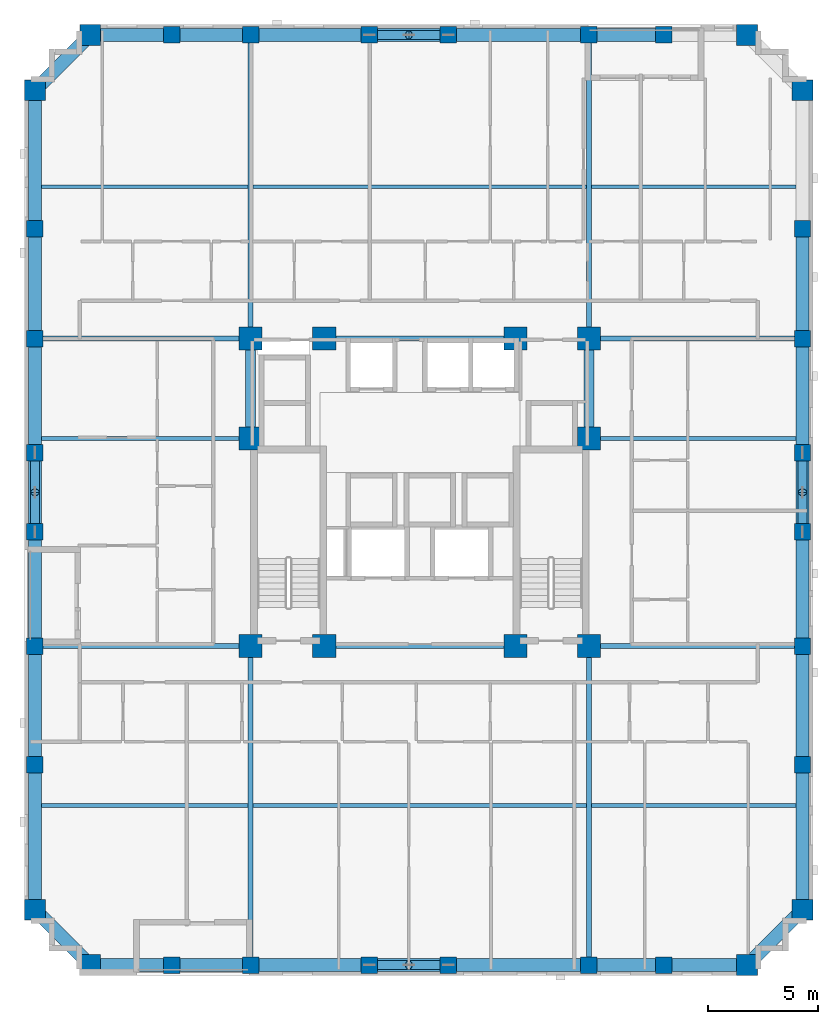
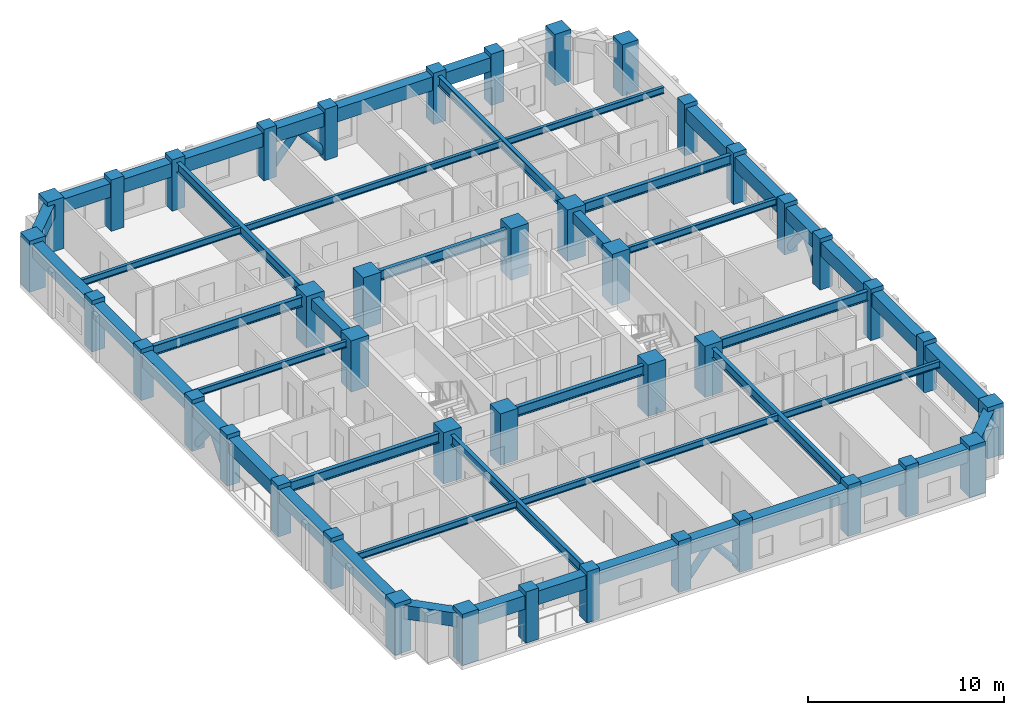
# One storey, part 1 of 12: 49 beams, 42 columns, 8 members.
"""IFC4 building model written with IfcOpenShell, lengths in metres."""

from ifc_helpers import new_model, si_unit, derived_unit, direction, frame, origin, origin_2d, place, context, subcontext, project, spatial, rectangle, hollow_circle, i_section, extrude, material, material_profile, profile_set, type_object, element, save


model = new_model("IFC4")

# Units and contexts
model_context = context("Model", 3, precision=1e-05, world=origin(), true_north=direction((0.0, 1.0)))
body_context = subcontext(model_context, "Body", "Model", "MODEL_VIEW")
ifc_project = project(units=[si_unit("LENGTHUNIT", "METRE"), si_unit("AREAUNIT", "SQUARE_METRE"), si_unit("VOLUMEUNIT", "CUBIC_METRE"), si_unit("PLANEANGLEUNIT", "RADIAN"), si_unit("MASSUNIT", "GRAM", prefix="KILO"), derived_unit("THERMALTRANSMITTANCEUNIT", [(si_unit("MASSUNIT", "GRAM", prefix="KILO"), 1), (si_unit("TIMEUNIT", "SECOND"), -3), (si_unit("THERMODYNAMICTEMPERATUREUNIT", "KELVIN"), -1)])], contexts=[model_context])

# Site, building, storey
site_placement = place(None, origin())
site = spatial("IfcSite", under=ifc_project, at=site_placement, CompositionType="ELEMENT")
building_placement = place(site_placement, origin())
building = spatial("IfcBuilding", under=site, at=building_placement, Name="Korrvale Station Residences", CompositionType="ELEMENT")
storey_placement = place(building_placement, frame((0.0, 0.0, 107.10009765625)))
storey = spatial("IfcBuildingStorey", under=building, at=storey_placement, Name="L30", CompositionType="ELEMENT", Elevation=107.10009765625)

# Columns
ifc_material_1 = material(Name="Concrete C60/75", Category="concrete")
ifc_material_profile_1 = material_profile(ifc_material_1, rectangle(XDim=1.050048828125, YDim=1.050048828125, at=origin_2d()), Name="RC1050x1050")
ifc_profile_set_1 = profile_set([ifc_material_profile_1], Name="Concrete C60/75")
column_type_1 = type_object("IfcColumnType", Name="COL-C-RC1050x1050-C6075", PredefinedType="COLUMN", material=ifc_profile_set_1)
for number, where, z_axis, x_axis, name in (
    (1, (17.800048828125, 15.0, 0.0), (0.0, 0.0, 1.0), (1.0, 0.0, 0.0), "L30 Core Column 01"),
    (2, (21.14990234375, 15.0, 0.0), (0.0, 0.0, 1.0), (1.0, 0.0, 0.0), "L30 Core Column 02"),
    (3, (29.85009765625, 15.0, 0.0), (0.0, 0.0, 1.0), (1.0, 0.0, 0.0), "L30 Core Column 03"),
    (4, (33.199951171875, 15.0, 0.0), (0.0, 0.0, 1.0), (1.0, 0.0, 0.0), "L30 Core Column 04"),
    (5, (17.800048828125, 29.0, 0.0), (0.0, 0.0, 1.0), (1.0, 0.0, 0.0), "L30 Core Column 05"),
    (6, (21.14990234375, 29.0, 0.0), (0.0, 0.0, 1.0), (1.0, 0.0, 0.0), "L30 Core Column 06"),
    (7, (29.85009765625, 29.0, 0.0), (0.0, 0.0, 1.0), (1.0, 0.0, 0.0), "L30 Core Column 07"),
    (8, (33.199951171875, 29.0, 0.0), (0.0, 0.0, 1.0), (1.0, 0.0, 0.0), "L30 Core Column 08"),
    (9, (17.800048828125, 24.449951171875, 0.0), (0.0, 0.0, 1.0), (1.0, 0.0, 0.0), "L30 Core Column 09"),
    (10, (33.199951171875, 24.449951171875, 0.0), (0.0, 0.0, 1.0), (1.0, 0.0, 0.0), "L30 Core Column 10"),
):
    element("IfcColumn", number, at=place(storey_placement, frame(where, z_axis=z_axis, x_axis=x_axis)), inside=storey, type_object=column_type_1, Name=name, PredefinedType="COLUMN", context=body_context, shape_type="SweptSolid", body=[
        extrude(rectangle(XDim=1.050048828125, YDim=1.050048828125, at=origin_2d()), origin(), (0.0, 0.0, 1.0), 3.199951171875),
    ])
ifc_material_profile_2 = material_profile(ifc_material_1, rectangle(XDim=0.75, YDim=0.75, at=origin_2d()), Name="RC750x750")
ifc_profile_set_2 = profile_set([ifc_material_profile_2], Name="Concrete C60/75")
column_type_2 = type_object("IfcColumnType", Name="COL-C-RC750x750-C6075", PredefinedType="COLUMN", material=ifc_profile_set_2)
for number, where, z_axis, x_axis, name in (
    (11, (14.199951171875, 0.47998046875, 0.0), (0.0, 0.0, 1.0), (1.0, 0.0, 0.0), "L30 Bundled-Tube South Column 02"),
    (12, (17.800048828125, 0.47998046875, 0.0), (0.0, 0.0, 1.0), (1.0, 0.0, 0.0), "L30 Bundled-Tube South Column 03"),
    (13, (23.199951171875, 0.47998046875, 0.0), (0.0, 0.0, 1.0), (1.0, 0.0, 0.0), "L30 Bundled-Tube South Column 04"),
    (14, (26.800048828125, 0.47998046875, 0.0), (0.0, 0.0, 1.0), (1.0, 0.0, 0.0), "L30 Bundled-Tube South Column 05"),
    (15, (33.199951171875, 0.47998046875, 0.0), (0.0, 0.0, 1.0), (1.0, 0.0, 0.0), "L30 Bundled-Tube South Column 06"),
    (16, (36.60009765625, 0.47998046875, 0.0), (0.0, 0.0, 1.0), (1.0, 0.0, 0.0), "L30 Bundled-Tube South Column 07"),
    (17, (14.199951171875, 42.820068359375, 0.0), (0.0, 0.0, 1.0), (1.0, 0.0, 0.0), "L30 Bundled-Tube North Column 10"),
    (18, (17.800048828125, 42.820068359375, 0.0), (0.0, 0.0, 1.0), (1.0, 0.0, 0.0), "L30 Bundled-Tube North Column 11"),
    (19, (23.199951171875, 42.820068359375, 0.0), (0.0, 0.0, 1.0), (1.0, 0.0, 0.0), "L30 Bundled-Tube North Column 12"),
    (20, (26.800048828125, 42.820068359375, 0.0), (0.0, 0.0, 1.0), (1.0, 0.0, 0.0), "L30 Bundled-Tube North Column 13"),
    (21, (33.199951171875, 42.820068359375, 0.0), (0.0, 0.0, 1.0), (1.0, 0.0, 0.0), "L30 Bundled-Tube North Column 14"),
    (22, (36.60009765625, 42.820068359375, 0.0), (0.0, 0.0, 1.0), (1.0, 0.0, 0.0), "L30 Bundled-Tube North Column 15"),
    (23, (7.97998046875, 9.60009765625, 0.0), (0.0, 0.0, 1.0), (1.0, 0.0, 0.0), "L30 Bundled-Tube West Column 18"),
    (24, (7.97998046875, 15.0, 0.0), (0.0, 0.0, 1.0), (1.0, 0.0, 0.0), "L30 Bundled-Tube West Column 19"),
    (25, (7.97998046875, 20.199951171875, 0.0), (0.0, 0.0, 1.0), (1.0, 0.0, 0.0), "L30 Bundled-Tube West Column 20"),
    (26, (7.97998046875, 23.800048828125, 0.0), (0.0, 0.0, 1.0), (1.0, 0.0, 0.0), "L30 Bundled-Tube West Column 21"),
    (27, (7.97998046875, 29.0, 0.0), (0.0, 0.0, 1.0), (1.0, 0.0, 0.0), "L30 Bundled-Tube West Column 22"),
    (28, (7.97998046875, 34.0, 0.0), (0.0, 0.0, 1.0), (1.0, 0.0, 0.0), "L30 Bundled-Tube West Column 23"),
    (29, (42.919921875, 9.60009765625, 0.0), (0.0, 0.0, 1.0), (1.0, 0.0, 0.0), "L30 Bundled-Tube East Column 26"),
    (30, (42.919921875, 15.0, 0.0), (0.0, 0.0, 1.0), (1.0, 0.0, 0.0), "L30 Bundled-Tube East Column 27"),
    (31, (42.919921875, 20.199951171875, 0.0), (0.0, 0.0, 1.0), (1.0, 0.0, 0.0), "L30 Bundled-Tube East Column 28"),
    (32, (42.919921875, 23.800048828125, 0.0), (0.0, 0.0, 1.0), (1.0, 0.0, 0.0), "L30 Bundled-Tube East Column 29"),
    (33, (42.919921875, 29.0, 0.0), (0.0, 0.0, 1.0), (1.0, 0.0, 0.0), "L30 Bundled-Tube East Column 30"),
    (34, (42.919921875, 34.0, 0.0), (0.0, 0.0, 1.0), (1.0, 0.0, 0.0), "L30 Bundled-Tube East Column 31"),
):
    element("IfcColumn", number, at=place(storey_placement, frame(where, z_axis=z_axis, x_axis=x_axis)), inside=storey, type_object=column_type_2, Name=name, PredefinedType="COLUMN", context=body_context, shape_type="SweptSolid", body=[
        extrude(rectangle(XDim=0.75, YDim=0.75, at=origin_2d()), origin(), (0.0, 0.0, 1.0), 3.199951171875),
    ])
ifc_material_profile_3 = material_profile(ifc_material_1, rectangle(XDim=0.949951171875, YDim=0.949951171875, at=origin_2d()), Name="RC950x950")
ifc_profile_set_3 = profile_set([ifc_material_profile_3], Name="Concrete C60/75")
column_type_3 = type_object("IfcColumnType", Name="COL-C-RC950x950-C6075", PredefinedType="COLUMN", material=ifc_profile_set_3)
for number, where, z_axis, x_axis, name in (
    (35, (10.5, 0.47998046875, 0.0), (0.0, 0.0, 1.0), (1.0, 0.0, 0.0), "L30 Bundled-Tube South Column 01"),
    (36, (40.39990234375, 0.47998046875, 0.0), (0.0, 0.0, 1.0), (1.0, 0.0, 0.0), "L30 Bundled-Tube South Column 08"),
    (37, (10.5, 42.820068359375, 0.0), (0.0, 0.0, 1.0), (1.0, 0.0, 0.0), "L30 Bundled-Tube North Column 09"),
    (38, (40.39990234375, 42.820068359375, 0.0), (0.0, 0.0, 1.0), (1.0, 0.0, 0.0), "L30 Bundled-Tube North Column 16"),
    (39, (7.97998046875, 3.0, 0.0), (0.0, 0.0, 1.0), (1.0, 0.0, 0.0), "L30 Bundled-Tube West Column 17"),
    (40, (7.97998046875, 40.300048828125, 0.0), (0.0, 0.0, 1.0), (1.0, 0.0, 0.0), "L30 Bundled-Tube West Column 24"),
    (41, (42.919921875, 3.0, 0.0), (0.0, 0.0, 1.0), (1.0, 0.0, 0.0), "L30 Bundled-Tube East Column 25"),
    (42, (42.919921875, 40.300048828125, 0.0), (0.0, 0.0, 1.0), (1.0, 0.0, 0.0), "L30 Bundled-Tube East Column 32"),
):
    element("IfcColumn", number, at=place(storey_placement, frame(where, z_axis=z_axis, x_axis=x_axis)), inside=storey, type_object=column_type_3, Name=name, PredefinedType="COLUMN", context=body_context, shape_type="SweptSolid", body=[
        extrude(rectangle(XDim=0.949951171875, YDim=0.949951171875, at=origin_2d()), origin(), (0.0, 0.0, 1.0), 3.199951171875),
    ])

# Beams
ifc_material_2 = material(Name="Steel S355", Category="steel")
ifc_material_profile_4 = material_profile(ifc_material_2, i_section(OverallWidth=0.22900390625, OverallDepth=0.612060546875, WebThickness=0.011962890625, FlangeThickness=0.01953125, FilletRadius=0.01904296875, at=origin_2d()), Name="W610x125")
ifc_profile_set_4 = profile_set([ifc_material_profile_4], Name="Steel S355")
beam_type_1 = type_object("IfcBeamType", Name="BM-BM-W610x125-S355", PredefinedType="BEAM", material=ifc_profile_set_4)
for number, where, z_axis, x_axis, name in (
    (43, (17.800048828125, 0.47998046875, 2.6337890625), (0.0, 1.0, 0.0), (-1.0, 0.0, 0.0), "L30 Bundled-Tube Web Girder 01"),
    (44, (33.199951171875, 0.47998046875, 2.6337890625), (0.0, 1.0, 0.0), (-1.0, 0.0, 0.0), "L30 Bundled-Tube Web Girder 02"),
):
    element("IfcBeam", number, at=place(storey_placement, frame(where, z_axis=z_axis, x_axis=x_axis)), inside=storey, type_object=beam_type_1, Name=name, PredefinedType="BEAM", context=body_context, shape_type="SweptSolid", body=[
        extrude(i_section(OverallWidth=0.22900390625, OverallDepth=0.612060546875, WebThickness=0.011962890625, FlangeThickness=0.01953125, FilletRadius=0.01904296875, at=origin_2d()), origin(), (0.0, 0.0, 1.0), 14.52001953125),
    ])
for number, where, z_axis, x_axis, name in (
    (45, (17.800048828125, 29.0, 2.6337890625), (0.0, 1.0, 0.0), (-1.0, 0.0, 0.0), "L30 Bundled-Tube Web Girder 03"),
    (46, (33.199951171875, 29.0, 2.6337890625), (0.0, 1.0, 0.0), (-1.0, 0.0, 0.0), "L30 Bundled-Tube Web Girder 04"),
):
    element("IfcBeam", number, at=place(storey_placement, frame(where, z_axis=z_axis, x_axis=x_axis)), inside=storey, type_object=beam_type_1, Name=name, PredefinedType="BEAM", context=body_context, shape_type="SweptSolid", body=[
        extrude(i_section(OverallWidth=0.22900390625, OverallDepth=0.612060546875, WebThickness=0.011962890625, FlangeThickness=0.01953125, FilletRadius=0.01904296875, at=origin_2d()), origin(), (0.0, 0.0, 1.0), 13.820068359375),
    ])
beam_1_placement = place(storey_placement, frame((7.97998046875, 15.0, 2.6337890625), z_axis=(1.0, 0.0, 0.0), x_axis=(0.0, 1.0, 0.0)))
element("IfcBeam", 47, at=beam_1_placement, inside=storey, type_object=beam_type_1, Name="L30 Bundled-Tube Web Girder 05", PredefinedType="BEAM", context=body_context, shape_type="SweptSolid", body=[
    extrude(i_section(OverallWidth=0.22900390625, OverallDepth=0.612060546875, WebThickness=0.011962890625, FlangeThickness=0.01953125, FilletRadius=0.01904296875, at=origin_2d()), origin(), (0.0, 0.0, 1.0), 9.820068359375),
])
beam_2_placement = place(storey_placement, frame((33.199951171875, 15.0, 2.6337890625), z_axis=(1.0, 0.0, 0.0), x_axis=(0.0, 1.0, 0.0)))
element("IfcBeam", 48, at=beam_2_placement, inside=storey, type_object=beam_type_1, Name="L30 Bundled-Tube Web Girder 06", PredefinedType="BEAM", context=body_context, shape_type="SweptSolid", body=[
    extrude(i_section(OverallWidth=0.22900390625, OverallDepth=0.612060546875, WebThickness=0.011962890625, FlangeThickness=0.01953125, FilletRadius=0.01904296875, at=origin_2d()), origin(), (0.0, 0.0, 1.0), 9.719970703125),
])
beam_3_placement = place(storey_placement, frame((7.97998046875, 29.0, 2.6337890625), z_axis=(1.0, 0.0, 0.0), x_axis=(0.0, 1.0, 0.0)))
element("IfcBeam", 49, at=beam_3_placement, inside=storey, type_object=beam_type_1, Name="L30 Bundled-Tube Web Girder 07", PredefinedType="BEAM", context=body_context, shape_type="SweptSolid", body=[
    extrude(i_section(OverallWidth=0.22900390625, OverallDepth=0.612060546875, WebThickness=0.011962890625, FlangeThickness=0.01953125, FilletRadius=0.01904296875, at=origin_2d()), origin(), (0.0, 0.0, 1.0), 9.820068359375),
])
beam_4_placement = place(storey_placement, frame((33.199951171875, 29.0, 2.6337890625), z_axis=(1.0, 0.0, 0.0), x_axis=(0.0, 1.0, 0.0)))
element("IfcBeam", 50, at=beam_4_placement, inside=storey, type_object=beam_type_1, Name="L30 Bundled-Tube Web Girder 08", PredefinedType="BEAM", context=body_context, shape_type="SweptSolid", body=[
    extrude(i_section(OverallWidth=0.22900390625, OverallDepth=0.612060546875, WebThickness=0.011962890625, FlangeThickness=0.01953125, FilletRadius=0.01904296875, at=origin_2d()), origin(), (0.0, 0.0, 1.0), 9.719970703125),
])
for number, where, z_axis, x_axis, name in (
    (51, (21.14990234375, 15.0, 2.6337890625), (1.0, 0.0, 0.0), (0.0, 1.0, 0.0), "L30 Bundled-Tube Web Girder 09"),
    (52, (21.14990234375, 29.0, 2.6337890625), (1.0, 0.0, 0.0), (0.0, 1.0, 0.0), "L30 Bundled-Tube Web Girder 10"),
):
    element("IfcBeam", number, at=place(storey_placement, frame(where, z_axis=z_axis, x_axis=x_axis)), inside=storey, type_object=beam_type_1, Name=name, PredefinedType="BEAM", context=body_context, shape_type="SweptSolid", body=[
        extrude(i_section(OverallWidth=0.22900390625, OverallDepth=0.612060546875, WebThickness=0.011962890625, FlangeThickness=0.01953125, FilletRadius=0.01904296875, at=origin_2d()), origin(), (0.0, 0.0, 1.0), 8.7001953125),
    ])
ifc_material_profile_5 = material_profile(ifc_material_2, i_section(OverallWidth=0.177978515625, OverallDepth=0.406982421875, WebThickness=0.0078125, FlangeThickness=0.0126953125, FilletRadius=0.01611328125, at=origin_2d()), Name="W410x60")
ifc_profile_set_5 = profile_set([ifc_material_profile_5], Name="Steel S355")
beam_type_2 = type_object("IfcBeamType", Name="BM-JST-W410x60-S355", PredefinedType="JOIST", material=ifc_profile_set_5)
beam_5_placement = place(storey_placement, frame((8.280029296875, 7.739990234375, 2.736328125), z_axis=(1.0, 0.0, 0.0), x_axis=(0.0, 1.0, 0.0)))
element("IfcBeam", 53, at=beam_5_placement, inside=storey, type_object=beam_type_2, Name="L30 Floor Framing Joist 01", PredefinedType="JOIST", context=body_context, shape_type="SweptSolid", body=[
    extrude(i_section(OverallWidth=0.177978515625, OverallDepth=0.406982421875, WebThickness=0.0078125, FlangeThickness=0.0126953125, FilletRadius=0.01611328125, at=origin_2d()), origin(), (0.0, 0.0, 1.0), 9.405517578125),
])
beam_6_placement = place(storey_placement, frame((17.91455078125, 7.739990234375, 2.736328125), z_axis=(1.0, 0.0, 0.0), x_axis=(0.0, 1.0, 0.0)))
element("IfcBeam", 54, at=beam_6_placement, inside=storey, type_object=beam_type_2, Name="L30 Floor Framing Joist 02", PredefinedType="JOIST", context=body_context, shape_type="SweptSolid", body=[
    extrude(i_section(OverallWidth=0.177978515625, OverallDepth=0.406982421875, WebThickness=0.0078125, FlangeThickness=0.0126953125, FilletRadius=0.01611328125, at=origin_2d()), origin(), (0.0, 0.0, 1.0), 15.1708984375),
])
beam_7_placement = place(storey_placement, frame((33.314453125, 7.739990234375, 2.736328125), z_axis=(1.0, 0.0, 0.0), x_axis=(0.0, 1.0, 0.0)))
element("IfcBeam", 55, at=beam_7_placement, inside=storey, type_object=beam_type_2, Name="L30 Floor Framing Joist 03", PredefinedType="JOIST", context=body_context, shape_type="SweptSolid", body=[
    extrude(i_section(OverallWidth=0.177978515625, OverallDepth=0.406982421875, WebThickness=0.0078125, FlangeThickness=0.0126953125, FilletRadius=0.01611328125, at=origin_2d()), origin(), (0.0, 0.0, 1.0), 9.3056640625),
])
beam_8_placement = place(storey_placement, frame((8.280029296875, 35.909912109375, 2.736328125), z_axis=(1.0, 0.0, 0.0), x_axis=(0.0, 1.0, 0.0)))
element("IfcBeam", 56, at=beam_8_placement, inside=storey, type_object=beam_type_2, Name="L30 Floor Framing Joist 04", PredefinedType="JOIST", context=body_context, shape_type="SweptSolid", body=[
    extrude(i_section(OverallWidth=0.177978515625, OverallDepth=0.406982421875, WebThickness=0.0078125, FlangeThickness=0.0126953125, FilletRadius=0.01611328125, at=origin_2d()), origin(), (0.0, 0.0, 1.0), 9.405517578125),
])
beam_9_placement = place(storey_placement, frame((17.91455078125, 35.909912109375, 2.736328125), z_axis=(1.0, 0.0, 0.0), x_axis=(0.0, 1.0, 0.0)))
element("IfcBeam", 57, at=beam_9_placement, inside=storey, type_object=beam_type_2, Name="L30 Floor Framing Joist 05", PredefinedType="JOIST", context=body_context, shape_type="SweptSolid", body=[
    extrude(i_section(OverallWidth=0.177978515625, OverallDepth=0.406982421875, WebThickness=0.0078125, FlangeThickness=0.0126953125, FilletRadius=0.01611328125, at=origin_2d()), origin(), (0.0, 0.0, 1.0), 15.1708984375),
])
beam_10_placement = place(storey_placement, frame((33.314453125, 35.909912109375, 2.736328125), z_axis=(1.0, 0.0, 0.0), x_axis=(0.0, 1.0, 0.0)))
element("IfcBeam", 58, at=beam_10_placement, inside=storey, type_object=beam_type_2, Name="L30 Floor Framing Joist 06", PredefinedType="JOIST", context=body_context, shape_type="SweptSolid", body=[
    extrude(i_section(OverallWidth=0.177978515625, OverallDepth=0.406982421875, WebThickness=0.0078125, FlangeThickness=0.0126953125, FilletRadius=0.01611328125, at=origin_2d()), origin(), (0.0, 0.0, 1.0), 9.3056640625),
])
beam_11_placement = place(storey_placement, frame((33.425048828125, 24.449951171875, 2.736328125), z_axis=(1.0, 0.0, 0.0), x_axis=(0.0, 1.0, 0.0)))
element("IfcBeam", 59, at=beam_11_placement, inside=storey, type_object=beam_type_2, Name="L30 Floor Framing Joist 07", PredefinedType="JOIST", context=body_context, shape_type="SweptSolid", body=[
    extrude(i_section(OverallWidth=0.177978515625, OverallDepth=0.406982421875, WebThickness=0.0078125, FlangeThickness=0.0126953125, FilletRadius=0.01611328125, at=origin_2d()), origin(), (0.0, 0.0, 1.0), 9.195068359375),
])
beam_12_placement = place(storey_placement, frame((8.280029296875, 24.449951171875, 2.736328125), z_axis=(1.0, 0.0, 0.0), x_axis=(0.0, 1.0, 0.0)))
element("IfcBeam", 60, at=beam_12_placement, inside=storey, type_object=beam_type_2, Name="L30 Floor Framing Joist 08", PredefinedType="JOIST", context=body_context, shape_type="SweptSolid", body=[
    extrude(i_section(OverallWidth=0.177978515625, OverallDepth=0.406982421875, WebThickness=0.0078125, FlangeThickness=0.0126953125, FilletRadius=0.01611328125, at=origin_2d()), origin(), (0.0, 0.0, 1.0), 9.294921875),
])
ifc_material_profile_6 = material_profile(ifc_material_1, rectangle(XDim=0.449951171875, YDim=0.64990234375, at=origin_2d()), Name="RCB450x650")
ifc_profile_set_6 = profile_set([ifc_material_profile_6], Name="Concrete C60/75")
beam_type_3 = type_object("IfcBeamType", Name="BM-LNT-RCB450x650-C6075", PredefinedType="LINTEL", material=ifc_profile_set_6)
for number, where, z_axis, x_axis, name in (
    (61, (17.800048828125, 24.449951171875, 2.614990234375), (0.0, 1.0, 0.0), (-1.0, 0.0, 0.0), "L30 Core Coupling Lintel 1"),
    (62, (33.199951171875, 24.449951171875, 2.614990234375), (0.0, 1.0, 0.0), (-1.0, 0.0, 0.0), "L30 Core Coupling Lintel 2"),
):
    element("IfcBeam", number, at=place(storey_placement, frame(where, z_axis=z_axis, x_axis=x_axis)), inside=storey, type_object=beam_type_3, Name=name, PredefinedType="LINTEL", context=body_context, shape_type="SweptSolid", body=[
        extrude(rectangle(XDim=0.449951171875, YDim=0.64990234375, at=origin_2d()), origin(), (0.0, 0.0, 1.0), 4.550048828125),
    ])
ifc_material_profile_7 = material_profile(ifc_material_1, rectangle(XDim=0.60009765625, YDim=0.85009765625, at=origin_2d()), Name="RCB600x850")
ifc_profile_set_7 = profile_set([ifc_material_profile_7], Name="Concrete C60/75")
beam_type_4 = type_object("IfcBeamType", Name="BM-SPB-RCB600x850-C6075", PredefinedType="SPANDREL", material=ifc_profile_set_7)
beam_13_placement = place(storey_placement, frame((10.5, 0.47998046875, 2.514892578125), z_axis=(1.0, 0.0, 0.0), x_axis=(0.0, 1.0, 0.0)))
element("IfcBeam", 63, at=beam_13_placement, inside=storey, type_object=beam_type_4, Name="L30 South Tube Spandrel 01", PredefinedType="SPANDREL", context=body_context, shape_type="SweptSolid", body=[
    extrude(rectangle(XDim=0.60009765625, YDim=0.85009765625, at=origin_2d()), origin(), (0.0, 0.0, 1.0), 3.699951171875),
])
beam_14_placement = place(storey_placement, frame((14.199951171875, 0.47998046875, 2.514892578125), z_axis=(1.0, 0.0, 0.0), x_axis=(0.0, 1.0, 0.0)))
element("IfcBeam", 64, at=beam_14_placement, inside=storey, type_object=beam_type_4, Name="L30 South Tube Spandrel 02", PredefinedType="SPANDREL", context=body_context, shape_type="SweptSolid", body=[
    extrude(rectangle(XDim=0.60009765625, YDim=0.85009765625, at=origin_2d()), origin(), (0.0, 0.0, 1.0), 3.60009765625),
])
beam_15_placement = place(storey_placement, frame((17.800048828125, 0.47998046875, 2.514892578125), z_axis=(1.0, 0.0, 0.0), x_axis=(0.0, 1.0, 0.0)))
element("IfcBeam", 65, at=beam_15_placement, inside=storey, type_object=beam_type_4, Name="L30 South Tube Spandrel 03", PredefinedType="SPANDREL", context=body_context, shape_type="SweptSolid", body=[
    extrude(rectangle(XDim=0.60009765625, YDim=0.85009765625, at=origin_2d()), origin(), (0.0, 0.0, 1.0), 5.39990234375),
])
beam_16_placement = place(storey_placement, frame((23.199951171875, 0.47998046875, 2.514892578125), z_axis=(1.0, 0.0, 0.0), x_axis=(0.0, 1.0, 0.0)))
element("IfcBeam", 66, at=beam_16_placement, inside=storey, type_object=beam_type_4, Name="L30 South Tube Spandrel 04", PredefinedType="SPANDREL", context=body_context, shape_type="SweptSolid", body=[
    extrude(rectangle(XDim=0.60009765625, YDim=0.85009765625, at=origin_2d()), origin(), (0.0, 0.0, 1.0), 3.60009765625),
])
beam_17_placement = place(storey_placement, frame((26.800048828125, 0.47998046875, 2.514892578125), z_axis=(1.0, 0.0, 0.0), x_axis=(0.0, 1.0, 0.0)))
element("IfcBeam", 67, at=beam_17_placement, inside=storey, type_object=beam_type_4, Name="L30 South Tube Spandrel 05", PredefinedType="SPANDREL", context=body_context, shape_type="SweptSolid", body=[
    extrude(rectangle(XDim=0.60009765625, YDim=0.85009765625, at=origin_2d()), origin(), (0.0, 0.0, 1.0), 6.39990234375),
])
beam_18_placement = place(storey_placement, frame((33.199951171875, 0.47998046875, 2.514892578125), z_axis=(1.0, 0.0, 0.0), x_axis=(0.0, 1.0, 0.0)))
element("IfcBeam", 68, at=beam_18_placement, inside=storey, type_object=beam_type_4, Name="L30 South Tube Spandrel 06", PredefinedType="SPANDREL", context=body_context, shape_type="SweptSolid", body=[
    extrude(rectangle(XDim=0.60009765625, YDim=0.85009765625, at=origin_2d()), origin(), (0.0, 0.0, 1.0), 3.400146484375),
])
beam_19_placement = place(storey_placement, frame((36.60009765625, 0.47998046875, 2.514892578125), z_axis=(1.0, 0.0, 0.0), x_axis=(0.0, 1.0, 0.0)))
element("IfcBeam", 69, at=beam_19_placement, inside=storey, type_object=beam_type_4, Name="L30 South Tube Spandrel 07", PredefinedType="SPANDREL", context=body_context, shape_type="SweptSolid", body=[
    extrude(rectangle(XDim=0.60009765625, YDim=0.85009765625, at=origin_2d()), origin(), (0.0, 0.0, 1.0), 3.7998046875),
])
beam_20_placement = place(storey_placement, frame((10.5, 42.820068359375, 2.514892578125), z_axis=(1.0, 0.0, 0.0), x_axis=(0.0, 1.0, 0.0)))
element("IfcBeam", 70, at=beam_20_placement, inside=storey, type_object=beam_type_4, Name="L30 North Tube Spandrel 08", PredefinedType="SPANDREL", context=body_context, shape_type="SweptSolid", body=[
    extrude(rectangle(XDim=0.60009765625, YDim=0.85009765625, at=origin_2d()), origin(), (0.0, 0.0, 1.0), 3.699951171875),
])
beam_21_placement = place(storey_placement, frame((14.199951171875, 42.820068359375, 2.514892578125), z_axis=(1.0, 0.0, 0.0), x_axis=(0.0, 1.0, 0.0)))
element("IfcBeam", 71, at=beam_21_placement, inside=storey, type_object=beam_type_4, Name="L30 North Tube Spandrel 09", PredefinedType="SPANDREL", context=body_context, shape_type="SweptSolid", body=[
    extrude(rectangle(XDim=0.60009765625, YDim=0.85009765625, at=origin_2d()), origin(), (0.0, 0.0, 1.0), 3.60009765625),
])
beam_22_placement = place(storey_placement, frame((17.800048828125, 42.820068359375, 2.514892578125), z_axis=(1.0, 0.0, 0.0), x_axis=(0.0, 1.0, 0.0)))
element("IfcBeam", 72, at=beam_22_placement, inside=storey, type_object=beam_type_4, Name="L30 North Tube Spandrel 10", PredefinedType="SPANDREL", context=body_context, shape_type="SweptSolid", body=[
    extrude(rectangle(XDim=0.60009765625, YDim=0.85009765625, at=origin_2d()), origin(), (0.0, 0.0, 1.0), 5.39990234375),
])
beam_23_placement = place(storey_placement, frame((23.199951171875, 42.820068359375, 2.514892578125), z_axis=(1.0, 0.0, 0.0), x_axis=(0.0, 1.0, 0.0)))
element("IfcBeam", 73, at=beam_23_placement, inside=storey, type_object=beam_type_4, Name="L30 North Tube Spandrel 11", PredefinedType="SPANDREL", context=body_context, shape_type="SweptSolid", body=[
    extrude(rectangle(XDim=0.60009765625, YDim=0.85009765625, at=origin_2d()), origin(), (0.0, 0.0, 1.0), 3.60009765625),
])
beam_24_placement = place(storey_placement, frame((26.800048828125, 42.820068359375, 2.514892578125), z_axis=(1.0, 0.0, 0.0), x_axis=(0.0, 1.0, 0.0)))
element("IfcBeam", 74, at=beam_24_placement, inside=storey, type_object=beam_type_4, Name="L30 North Tube Spandrel 12", PredefinedType="SPANDREL", context=body_context, shape_type="SweptSolid", body=[
    extrude(rectangle(XDim=0.60009765625, YDim=0.85009765625, at=origin_2d()), origin(), (0.0, 0.0, 1.0), 6.39990234375),
])
beam_25_placement = place(storey_placement, frame((33.199951171875, 42.820068359375, 2.514892578125), z_axis=(1.0, 0.0, 0.0), x_axis=(0.0, 1.0, 0.0)))
element("IfcBeam", 75, at=beam_25_placement, inside=storey, type_object=beam_type_4, Name="L30 North Tube Spandrel 13", PredefinedType="SPANDREL", context=body_context, shape_type="SweptSolid", body=[
    extrude(rectangle(XDim=0.60009765625, YDim=0.85009765625, at=origin_2d()), origin(), (0.0, 0.0, 1.0), 3.400146484375),
])
beam_26_placement = place(storey_placement, frame((7.97998046875, 3.0, 2.514892578125), z_axis=(0.0, 1.0, 0.0), x_axis=(-1.0, 0.0, 0.0)))
element("IfcBeam", 76, at=beam_26_placement, inside=storey, type_object=beam_type_4, Name="L30 West Tube Spandrel 15", PredefinedType="SPANDREL", context=body_context, shape_type="SweptSolid", body=[
    extrude(rectangle(XDim=0.60009765625, YDim=0.85009765625, at=origin_2d()), origin(), (0.0, 0.0, 1.0), 6.60009765625),
])
beam_27_placement = place(storey_placement, frame((7.97998046875, 9.60009765625, 2.514892578125), z_axis=(0.0, 1.0, 0.0), x_axis=(-1.0, 0.0, 0.0)))
element("IfcBeam", 77, at=beam_27_placement, inside=storey, type_object=beam_type_4, Name="L30 West Tube Spandrel 16", PredefinedType="SPANDREL", context=body_context, shape_type="SweptSolid", body=[
    extrude(rectangle(XDim=0.60009765625, YDim=0.85009765625, at=origin_2d()), origin(), (0.0, 0.0, 1.0), 5.39990234375),
])
beam_28_placement = place(storey_placement, frame((7.97998046875, 15.0, 2.514892578125), z_axis=(0.0, 1.0, 0.0), x_axis=(-1.0, 0.0, 0.0)))
element("IfcBeam", 78, at=beam_28_placement, inside=storey, type_object=beam_type_4, Name="L30 West Tube Spandrel 17", PredefinedType="SPANDREL", context=body_context, shape_type="SweptSolid", body=[
    extrude(rectangle(XDim=0.60009765625, YDim=0.85009765625, at=origin_2d()), origin(), (0.0, 0.0, 1.0), 5.199951171875),
])
beam_29_placement = place(storey_placement, frame((7.97998046875, 20.199951171875, 2.514892578125), z_axis=(0.0, 1.0, 0.0), x_axis=(-1.0, 0.0, 0.0)))
element("IfcBeam", 79, at=beam_29_placement, inside=storey, type_object=beam_type_4, Name="L30 West Tube Spandrel 18", PredefinedType="SPANDREL", context=body_context, shape_type="SweptSolid", body=[
    extrude(rectangle(XDim=0.60009765625, YDim=0.85009765625, at=origin_2d()), origin(), (0.0, 0.0, 1.0), 3.60009765625),
])
beam_30_placement = place(storey_placement, frame((7.97998046875, 23.800048828125, 2.514892578125), z_axis=(0.0, 1.0, 0.0), x_axis=(-1.0, 0.0, 0.0)))
element("IfcBeam", 80, at=beam_30_placement, inside=storey, type_object=beam_type_4, Name="L30 West Tube Spandrel 19", PredefinedType="SPANDREL", context=body_context, shape_type="SweptSolid", body=[
    extrude(rectangle(XDim=0.60009765625, YDim=0.85009765625, at=origin_2d()), origin(), (0.0, 0.0, 1.0), 5.199951171875),
])
beam_31_placement = place(storey_placement, frame((7.97998046875, 29.0, 2.514892578125), z_axis=(0.0, 1.0, 0.0), x_axis=(-1.0, 0.0, 0.0)))
element("IfcBeam", 81, at=beam_31_placement, inside=storey, type_object=beam_type_4, Name="L30 West Tube Spandrel 20", PredefinedType="SPANDREL", context=body_context, shape_type="SweptSolid", body=[
    extrude(rectangle(XDim=0.60009765625, YDim=0.85009765625, at=origin_2d()), origin(), (0.0, 0.0, 1.0), 5.0),
])
beam_32_placement = place(storey_placement, frame((7.97998046875, 34.0, 2.514892578125), z_axis=(0.0, 1.0, 0.0), x_axis=(-1.0, 0.0, 0.0)))
element("IfcBeam", 82, at=beam_32_placement, inside=storey, type_object=beam_type_4, Name="L30 West Tube Spandrel 21", PredefinedType="SPANDREL", context=body_context, shape_type="SweptSolid", body=[
    extrude(rectangle(XDim=0.60009765625, YDim=0.85009765625, at=origin_2d()), origin(), (0.0, 0.0, 1.0), 6.300048828125),
])
beam_33_placement = place(storey_placement, frame((42.919921875, 3.0, 2.514892578125), z_axis=(0.0, 1.0, 0.0), x_axis=(-1.0, 0.0, 0.0)))
element("IfcBeam", 83, at=beam_33_placement, inside=storey, type_object=beam_type_4, Name="L30 East Tube Spandrel 22", PredefinedType="SPANDREL", context=body_context, shape_type="SweptSolid", body=[
    extrude(rectangle(XDim=0.60009765625, YDim=0.85009765625, at=origin_2d()), origin(), (0.0, 0.0, 1.0), 6.60009765625),
])
beam_34_placement = place(storey_placement, frame((42.919921875, 9.60009765625, 2.514892578125), z_axis=(0.0, 1.0, 0.0), x_axis=(-1.0, 0.0, 0.0)))
element("IfcBeam", 84, at=beam_34_placement, inside=storey, type_object=beam_type_4, Name="L30 East Tube Spandrel 23", PredefinedType="SPANDREL", context=body_context, shape_type="SweptSolid", body=[
    extrude(rectangle(XDim=0.60009765625, YDim=0.85009765625, at=origin_2d()), origin(), (0.0, 0.0, 1.0), 5.39990234375),
])
beam_35_placement = place(storey_placement, frame((42.919921875, 15.0, 2.514892578125), z_axis=(0.0, 1.0, 0.0), x_axis=(-1.0, 0.0, 0.0)))
element("IfcBeam", 85, at=beam_35_placement, inside=storey, type_object=beam_type_4, Name="L30 East Tube Spandrel 24", PredefinedType="SPANDREL", context=body_context, shape_type="SweptSolid", body=[
    extrude(rectangle(XDim=0.60009765625, YDim=0.85009765625, at=origin_2d()), origin(), (0.0, 0.0, 1.0), 5.199951171875),
])
beam_36_placement = place(storey_placement, frame((42.919921875, 20.199951171875, 2.514892578125), z_axis=(0.0, 1.0, 0.0), x_axis=(-1.0, 0.0, 0.0)))
element("IfcBeam", 86, at=beam_36_placement, inside=storey, type_object=beam_type_4, Name="L30 East Tube Spandrel 25", PredefinedType="SPANDREL", context=body_context, shape_type="SweptSolid", body=[
    extrude(rectangle(XDim=0.60009765625, YDim=0.85009765625, at=origin_2d()), origin(), (0.0, 0.0, 1.0), 3.60009765625),
])
beam_37_placement = place(storey_placement, frame((42.919921875, 23.800048828125, 2.514892578125), z_axis=(0.0, 1.0, 0.0), x_axis=(-1.0, 0.0, 0.0)))
element("IfcBeam", 87, at=beam_37_placement, inside=storey, type_object=beam_type_4, Name="L30 East Tube Spandrel 26", PredefinedType="SPANDREL", context=body_context, shape_type="SweptSolid", body=[
    extrude(rectangle(XDim=0.60009765625, YDim=0.85009765625, at=origin_2d()), origin(), (0.0, 0.0, 1.0), 5.199951171875),
])
beam_38_placement = place(storey_placement, frame((42.919921875, 29.0, 2.514892578125), z_axis=(0.0, 1.0, 0.0), x_axis=(-1.0, 0.0, 0.0)))
element("IfcBeam", 88, at=beam_38_placement, inside=storey, type_object=beam_type_4, Name="L30 East Tube Spandrel 27", PredefinedType="SPANDREL", context=body_context, shape_type="SweptSolid", body=[
    extrude(rectangle(XDim=0.60009765625, YDim=0.85009765625, at=origin_2d()), origin(), (0.0, 0.0, 1.0), 5.0),
])
for number, where, z_axis, x_axis, name in (
    (89, (10.5, 0.47998046875, 2.514892578125), (-0.707106781187, 0.707106781187, 0.0), (-0.707106781187, -0.707106781187, 0.0), "L30 Serrated Corner Spandrel 29"),
    (90, (40.39990234375, 0.47998046875, 2.514892578125), (0.707106781187, 0.707106781187, 0.0), (-0.707106781187, 0.707106781187, 0.0), "L30 Serrated Corner Spandrel 30"),
    (91, (10.5, 42.820068359375, 2.514892578125), (-0.707106781187, -0.707106781187, 0.0), (0.707106781187, -0.707106781187, 0.0), "L30 Serrated Corner Spandrel 32"),
):
    element("IfcBeam", number, at=place(storey_placement, frame(where, z_axis=z_axis, x_axis=x_axis)), inside=storey, type_object=beam_type_4, Name=name, PredefinedType="SPANDREL", context=body_context, shape_type="SweptSolid", body=[
        extrude(rectangle(XDim=0.60009765625, YDim=0.85009765625, at=origin_2d()), origin(), (0.0, 0.0, 1.0), 3.56396484375),
    ])

# Members
ifc_material_profile_8 = material_profile(ifc_material_2, hollow_circle(Radius=0.203125, WallThickness=0.015869140625, at=origin_2d()), Name="HSS406x16")
ifc_profile_set_8 = profile_set([ifc_material_profile_8], Name="Steel S355")
member_type = type_object("IfcMemberType", Name="MBR-BR-HSS406x16", PredefinedType="BRACE", material=ifc_profile_set_8)
for number, where, z_axis, x_axis, name in (
    (92, (23.199951171875, 0.47998046875, 0.02001953125), (0.634985494602, 0.0, 0.772524058942), (0.0, 1.0, 0.0), "L30 S Perimeter Tube Wind Brace 1"),
    (93, (26.800048828125, 0.47998046875, 0.02001953125), (-0.634985494602, 0.0, 0.772524058942), (0.0, -1.0, 0.0), "L30 S Perimeter Tube Wind Brace 2"),
    (94, (23.199951171875, 42.820068359375, 0.02001953125), (0.634985494602, 0.0, 0.772524058942), (0.0, 1.0, 0.0), "L30 N Perimeter Tube Wind Brace 1"),
    (95, (26.800048828125, 42.820068359375, 0.02001953125), (-0.634985494602, 0.0, 0.772524058942), (0.0, -1.0, 0.0), "L30 N Perimeter Tube Wind Brace 2"),
    (96, (7.97998046875, 20.199951171875, 0.02001953125), (0.0, 0.634985494602, 0.772524058942), (-1.0, 0.0, 0.0), "L30 W Perimeter Tube Wind Brace 1"),
    (97, (7.97998046875, 23.800048828125, 0.02001953125), (0.0, -0.634985494602, 0.772524058942), (1.0, 0.0, 0.0), "L30 W Perimeter Tube Wind Brace 2"),
    (98, (42.919921875, 20.199951171875, 0.02001953125), (0.0, 0.634985494602, 0.772524058942), (-1.0, 0.0, 0.0), "L30 E Perimeter Tube Wind Brace 1"),
    (99, (42.919921875, 23.800048828125, 0.02001953125), (0.0, -0.634985494602, 0.772524058942), (1.0, 0.0, 0.0), "L30 E Perimeter Tube Wind Brace 2"),
):
    element("IfcMember", number, at=place(storey_placement, frame(where, z_axis=z_axis, x_axis=x_axis)), inside=storey, type_object=member_type, Name=name, PredefinedType="BRACE", context=body_context, shape_type="SweptSolid", body=[
        extrude(hollow_circle(Radius=0.203125, WallThickness=0.015869140625, at=origin_2d()), origin(), (0.0, 0.0, 1.0), 2.834716796875),
    ])

save(model, "model.ifc")
